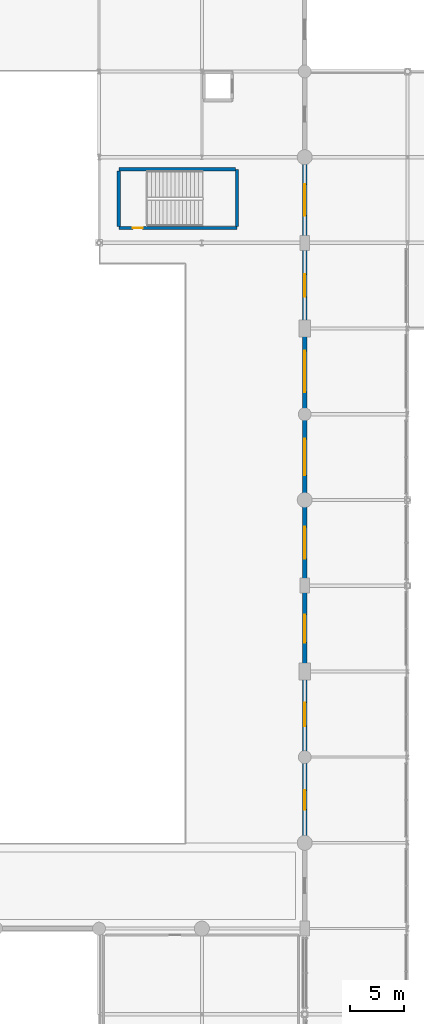
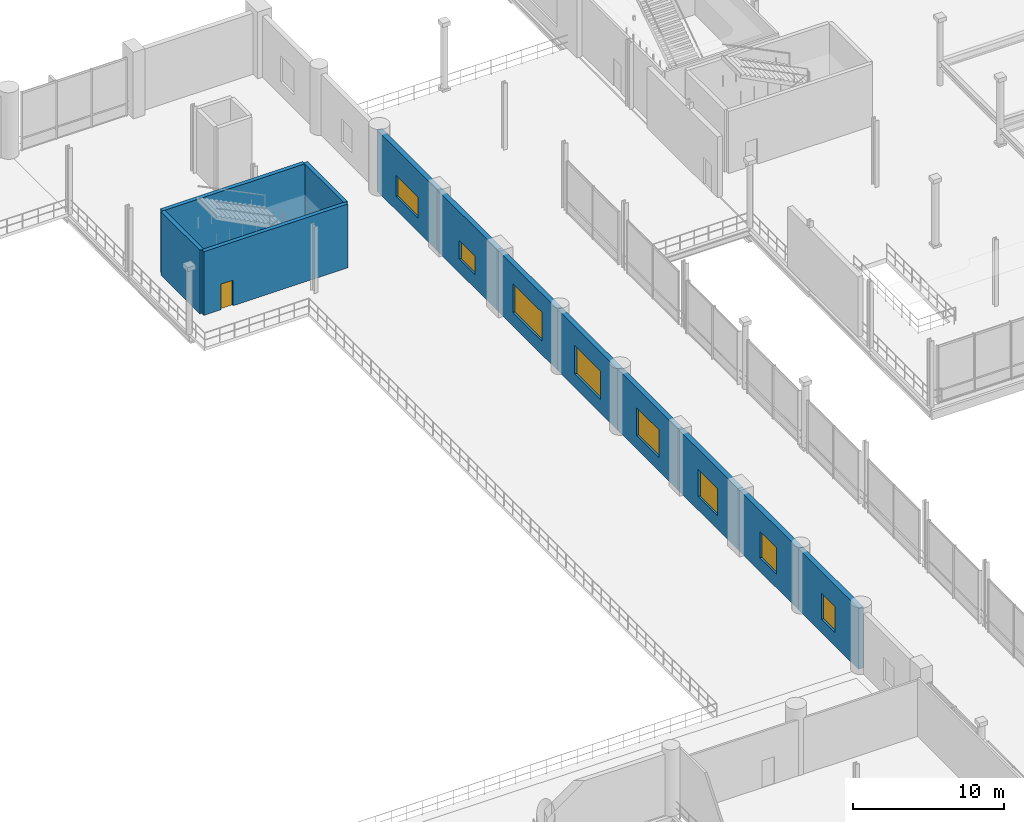
# One storey, part 80 of 129: 12 walls, 8 windows, 1 door, 9 openings.
"""IFC4 building model written with IfcOpenShell, lengths in metres."""

from ifc_helpers import new_model, si_unit, direction, frame, frame_2d, origin, place, context, subcontext, project, spatial, rectangle, extrude, material, layer, layer_set, type_object, element, fill, save


model = new_model("IFC4")

# Units and contexts
model_context = context("Model", 3, precision=1e-05, world=origin(), true_north=direction((0.0, 1.0)))
body_context = subcontext(model_context, "Body", "Model", "MODEL_VIEW")
ifc_project = project(units=[si_unit("LENGTHUNIT", "METRE"), si_unit("AREAUNIT", "SQUARE_METRE"), si_unit("VOLUMEUNIT", "CUBIC_METRE"), si_unit("PLANEANGLEUNIT", "RADIAN"), si_unit("MASSUNIT", "GRAM", prefix="KILO")], contexts=[model_context])

# Site, building, storey
site_placement = place(None, origin())
site = spatial("IfcSite", under=ifc_project, at=site_placement, CompositionType="ELEMENT")
building_placement = place(site_placement, origin())
building = spatial("IfcBuilding", under=site, at=building_placement, Name="Danafjord Basin Convention Centre", CompositionType="ELEMENT")
storey_placement = place(building_placement, frame((0.0, 0.0, 6.0)))
storey = spatial("IfcBuildingStorey", under=building, at=storey_placement, Name="L01", CompositionType="ELEMENT", Elevation=6.0)

# Wall, opening, door
ifc_material_1 = material(Name="Concrete C40/50", Category="concrete")
ifc_layer_1 = layer(ifc_material_1, 0.300048828125)
ifc_layer_set_1 = layer_set([ifc_layer_1], Name="Concrete C40/50")
wall_type_1 = type_object("IfcWallType", Name="WALL-CW-CORE300", PredefinedType="SHEAR", material=ifc_layer_set_1)
wall_1_placement = place(storey_placement, frame((97.85009765625, 121.39990234375, 0.0), z_axis=(0.0, 0.0, 1.0), x_axis=(1.0, 0.0, 0.0)))
wall_1 = element("IfcWall", 1, at=wall_1_placement, inside=storey, type_object=wall_type_1, Name="North Exhibition Core Stair 1 core shear wall (south)", PredefinedType="SHEAR", context=body_context, shape_type="SweptSolid", body=[
    extrude(rectangle(XDim=11.039794921875, YDim=0.300048828125, at=frame_2d((5.52001953125, 0.0))), origin(), (0.0, 0.0, 1.0), 5.169921875),
])
opening_1_placement = place(wall_1_placement, frame((1.31201171875, 0.0, 0.0)))
opening_1 = element("IfcOpeningElement", 2, at=opening_1_placement, cuts=wall_1, Name="Opening FD-S01", PredefinedType="OPENING", context=body_context, shape_type="SweptSolid", body=[
    extrude(rectangle(XDim=0.909912109375, YDim=2.080078125, at=frame_2d((0.455078125, 1.0400390625))), frame((0.0, 0.159912109375, 0.0), z_axis=(0.0, -1.0, 0.0), x_axis=(1.0, 0.0, 0.0)), (0.0, 0.0, 1.0), 0.320068359375),
])
ifc_material_2 = material(Name="Powder-coated steel and Nordic oak", Category="steel")
door_type = type_object("IfcDoorType", Name="DOOR-FD-S01", OperationType="NOTDEFINED", PredefinedType="DOOR", material=ifc_material_2)
door_placement = place(opening_1_placement, origin())
door = element("IfcDoor", 3, at=door_placement, inside=storey, type_object=door_type, Name="North Exhibition Core Stair 1 L01 Fire Exit Door", OperationType="SINGLE_SWING_RIGHT", OverallHeight=2.080078125, OverallWidth=0.909912109375, PredefinedType="DOOR", context=body_context, shape_type="SweptSolid", body=[
    extrude(rectangle(XDim=0.909912109375, YDim=2.080078125, at=frame_2d((0.455078125, 1.0400390625))), frame((0.0, 0.02490234375, 0.0), z_axis=(0.0, -1.0, 0.0), x_axis=(1.0, 0.0, 0.0)), (0.0, 0.0, 1.0), 0.050048828125),
])
fill(opening_1, door)

# Walls
wall_2_placement = place(storey_placement, frame((108.889892578125, 121.534912109375, 0.0), z_axis=(0.0, 0.0, 1.0), x_axis=(0.0, 1.0, 0.0)))
element("IfcWall", 4, at=wall_2_placement, inside=storey, type_object=wall_type_1, Name="North Exhibition Core Stair 1 core shear wall (east)", PredefinedType="SHEAR", context=body_context, shape_type="SweptSolid", body=[
    extrude(rectangle(XDim=5.3251953125, YDim=0.300048828125, at=frame_2d((2.66259765625, 0.0))), origin(), (0.0, 0.0, 1.0), 5.169921875),
])
wall_3_placement = place(storey_placement, frame((108.7548828125, 126.860107421875, 0.0), z_axis=(0.0, 0.0, 1.0), x_axis=(-1.0, 0.0, 0.0)))
element("IfcWall", 5, at=wall_3_placement, inside=storey, type_object=wall_type_1, Name="North Exhibition Core Stair 1 core shear wall (north)", PredefinedType="SHEAR", context=body_context, shape_type="SweptSolid", body=[
    extrude(rectangle(XDim=10.90478515625, YDim=0.300048828125, at=frame_2d((5.452392578125, 0.0))), origin(), (0.0, 0.0, 1.0), 5.169921875),
])
wall_4_placement = place(storey_placement, frame((97.85009765625, 126.72509765625, 0.0), z_axis=(0.0, 0.0, 1.0), x_axis=(0.0, -1.0, 0.0)))
element("IfcWall", 6, at=wall_4_placement, inside=storey, type_object=wall_type_1, Name="North Exhibition Core Stair 1 core shear wall (west)", PredefinedType="SHEAR", context=body_context, shape_type="SweptSolid", body=[
    extrude(rectangle(XDim=5.190185546875, YDim=0.300048828125, at=frame_2d((2.59521484375, 0.0))), origin(), (0.0, 0.0, 1.0), 5.169921875),
])

# Wall, opening, window
ifc_material_3 = material(Name="Precast concrete C45/55", Category="concrete")
ifc_layer_2 = layer(ifc_material_3, 0.3798828125)
ifc_layer_set_2 = layer_set([ifc_layer_2], Name="Precast concrete C45/55")
wall_type_2 = type_object("IfcWallType", Name="WALL-EW-PC380", PredefinedType="SOLIDWALL", material=ifc_layer_set_2)
wall_5_placement = place(storey_placement, frame((115.199951171875, 64.0, 0.0), z_axis=(0.0, 0.0, 1.0), x_axis=(0.0, 1.0, 0.0)))
wall_5 = element("IfcWall", 7, at=wall_5_placement, inside=storey, type_object=wall_type_2, Name="Exhibition hall E upper precast wall", PredefinedType="SOLIDWALL", context=body_context, shape_type="SweptSolid", body=[
    extrude(rectangle(XDim=8.0, YDim=0.3798828125, at=frame_2d((4.0, 0.0))), origin(), (0.0, 0.0, 1.0), 4.949951171875),
])
opening_2_placement = place(wall_5_placement, frame((3.10009765625, 0.0, 1.10009765625)))
opening_2 = element("IfcOpeningElement", 8, at=opening_2_placement, cuts=wall_5, Name="Opening WN-04", PredefinedType="OPENING", context=body_context, shape_type="SweptSolid", body=[
    extrude(rectangle(XDim=1.800048828125, YDim=2.10009765625, at=frame_2d((0.89990234375, 1.050048828125))), frame((0.0, 0.199951171875, 0.0), z_axis=(0.0, -1.0, 0.0), x_axis=(1.0, 0.0, 0.0)), (0.0, 0.0, 1.0), 0.39990234375),
])
ifc_material_4 = material(Name="Thermally broken aluminium and triple low-E glass", Category="aluminium")
window_type_1 = type_object("IfcWindowType", Name="WIN-WN-04", PartitioningType="SINGLE_PANEL", PredefinedType="WINDOW", material=ifc_material_4)
window_1_placement = place(opening_2_placement, origin())
window_1 = element("IfcWindow", 9, at=window_1_placement, inside=storey, type_object=window_type_1, Name="L01 hall window WN-04", OverallHeight=2.10009765625, OverallWidth=1.800048828125, PartitioningType="SINGLE_PANEL", PredefinedType="WINDOW", context=body_context, shape_type="SweptSolid", body=[
    extrude(rectangle(XDim=1.800048828125, YDim=2.10009765625, at=frame_2d((0.89990234375, 1.050048828125))), frame((0.0, 0.030029296875, 0.0), z_axis=(0.0, -1.0, 0.0), x_axis=(1.0, 0.0, 0.0)), (0.0, 0.0, 1.0), 0.06005859375),
])
fill(opening_2, window_1)

wall_6_placement = place(storey_placement, frame((115.199951171875, 72.0, 0.0), z_axis=(0.0, 0.0, 1.0), x_axis=(0.0, 1.0, 0.0)))
wall_6 = element("IfcWall", 10, at=wall_6_placement, inside=storey, type_object=wall_type_2, Name="Exhibition hall E upper precast wall", PredefinedType="SOLIDWALL", context=body_context, shape_type="SweptSolid", body=[
    extrude(rectangle(XDim=8.0, YDim=0.3798828125, at=frame_2d((4.0, 0.0))), origin(), (0.0, 0.0, 1.0), 4.949951171875),
])
opening_3_placement = place(wall_6_placement, frame((2.89990234375, 0.0, 1.10009765625)))
opening_3 = element("IfcOpeningElement", 11, at=opening_3_placement, cuts=wall_6, Name="Opening WN-06", PredefinedType="OPENING", context=body_context, shape_type="SweptSolid", body=[
    extrude(rectangle(XDim=2.199951171875, YDim=2.14990234375, at=frame_2d((1.10009765625, 1.074951171875))), frame((0.0, 0.199951171875, 0.0), z_axis=(0.0, -1.0, 0.0), x_axis=(1.0, 0.0, 0.0)), (0.0, 0.0, 1.0), 0.39990234375),
])
window_type_2 = type_object("IfcWindowType", Name="WIN-WN-06", PartitioningType="SINGLE_PANEL", PredefinedType="WINDOW", material=ifc_material_4)
window_2_placement = place(opening_3_placement, origin())
window_2 = element("IfcWindow", 12, at=window_2_placement, inside=storey, type_object=window_type_2, Name="L01 hall window WN-06", OverallHeight=2.14990234375, OverallWidth=2.199951171875, PartitioningType="SINGLE_PANEL", PredefinedType="WINDOW", context=body_context, shape_type="SweptSolid", body=[
    extrude(rectangle(XDim=2.199951171875, YDim=2.14990234375, at=frame_2d((1.10009765625, 1.074951171875))), frame((0.0, 0.030029296875, 0.0), z_axis=(0.0, -1.0, 0.0), x_axis=(1.0, 0.0, 0.0)), (0.0, 0.0, 1.0), 0.06005859375),
])
fill(opening_3, window_2)

wall_7_placement = place(storey_placement, frame((115.199951171875, 80.0, 0.0), z_axis=(0.0, 0.0, 1.0), x_axis=(0.0, 1.0, 0.0)))
wall_7 = element("IfcWall", 13, at=wall_7_placement, inside=storey, type_object=wall_type_2, Name="Exhibition hall E upper precast wall", PredefinedType="SOLIDWALL", context=body_context, shape_type="SweptSolid", body=[
    extrude(rectangle(XDim=8.0, YDim=0.3798828125, at=frame_2d((4.0, 0.0))), origin(), (0.0, 0.0, 1.0), 4.949951171875),
])
opening_4_placement = place(wall_7_placement, frame((2.699951171875, 0.0, 1.10009765625)))
opening_4 = element("IfcOpeningElement", 14, at=opening_4_placement, cuts=wall_7, Name="Opening WN-08", PredefinedType="OPENING", context=body_context, shape_type="SweptSolid", body=[
    extrude(rectangle(XDim=2.60009765625, YDim=2.199951171875, at=frame_2d((1.300048828125, 1.10009765625))), frame((0.0, 0.199951171875, 0.0), z_axis=(0.0, -1.0, 0.0), x_axis=(1.0, 0.0, 0.0)), (0.0, 0.0, 1.0), 0.39990234375),
])
window_type_3 = type_object("IfcWindowType", Name="WIN-WN-08", PartitioningType="SINGLE_PANEL", PredefinedType="WINDOW", material=ifc_material_4)
window_3_placement = place(opening_4_placement, origin())
window_3 = element("IfcWindow", 15, at=window_3_placement, inside=storey, type_object=window_type_3, Name="L01 hall window WN-08", OverallHeight=2.199951171875, OverallWidth=2.60009765625, PartitioningType="SINGLE_PANEL", PredefinedType="WINDOW", context=body_context, shape_type="SweptSolid", body=[
    extrude(rectangle(XDim=2.60009765625, YDim=2.199951171875, at=frame_2d((1.300048828125, 1.10009765625))), frame((0.0, 0.030029296875, 0.0), z_axis=(0.0, -1.0, 0.0), x_axis=(1.0, 0.0, 0.0)), (0.0, 0.0, 1.0), 0.06005859375),
])
fill(opening_4, window_3)

wall_8_placement = place(storey_placement, frame((115.199951171875, 88.0, 0.0), z_axis=(0.0, 0.0, 1.0), x_axis=(0.0, 1.0, 0.0)))
wall_8 = element("IfcWall", 16, at=wall_8_placement, inside=storey, type_object=wall_type_2, Name="Exhibition hall E upper precast wall", PredefinedType="SOLIDWALL", context=body_context, shape_type="SweptSolid", body=[
    extrude(rectangle(XDim=8.0, YDim=0.3798828125, at=frame_2d((4.0, 0.0))), origin(), (0.0, 0.0, 1.0), 4.949951171875),
])
opening_5_placement = place(wall_8_placement, frame((2.5, 0.0, 1.10009765625)))
opening_5 = element("IfcOpeningElement", 17, at=opening_5_placement, cuts=wall_8, Name="Opening WN-10", PredefinedType="OPENING", context=body_context, shape_type="SweptSolid", body=[
    extrude(rectangle(XDim=3.0, YDim=2.25, at=frame_2d((1.5, 1.125))), frame((0.0, 0.199951171875, 0.0), z_axis=(0.0, -1.0, 0.0), x_axis=(1.0, 0.0, 0.0)), (0.0, 0.0, 1.0), 0.39990234375),
])
window_type_4 = type_object("IfcWindowType", Name="WIN-WN-10", PartitioningType="SINGLE_PANEL", PredefinedType="WINDOW", material=ifc_material_4)
window_4_placement = place(opening_5_placement, origin())
window_4 = element("IfcWindow", 18, at=window_4_placement, inside=storey, type_object=window_type_4, Name="L01 hall window WN-10", OverallHeight=2.25, OverallWidth=3.0, PartitioningType="SINGLE_PANEL", PredefinedType="WINDOW", context=body_context, shape_type="SweptSolid", body=[
    extrude(rectangle(XDim=3.0, YDim=2.25, at=frame_2d((1.5, 1.125))), frame((0.0, 0.030029296875, 0.0), z_axis=(0.0, -1.0, 0.0), x_axis=(1.0, 0.0, 0.0)), (0.0, 0.0, 1.0), 0.06005859375),
])
fill(opening_5, window_4)

wall_9_placement = place(storey_placement, frame((115.199951171875, 96.0, 0.0), z_axis=(0.0, 0.0, 1.0), x_axis=(0.0, 1.0, 0.0)))
wall_9 = element("IfcWall", 19, at=wall_9_placement, inside=storey, type_object=wall_type_2, Name="Exhibition hall E upper precast wall", PredefinedType="SOLIDWALL", context=body_context, shape_type="SweptSolid", body=[
    extrude(rectangle(XDim=8.0, YDim=0.3798828125, at=frame_2d((4.0, 0.0))), origin(), (0.0, 0.0, 1.0), 4.949951171875),
])
opening_6_placement = place(wall_9_placement, frame((2.300048828125, 0.0, 1.10009765625)))
opening_6 = element("IfcOpeningElement", 20, at=opening_6_placement, cuts=wall_9, Name="Opening WN-12", PredefinedType="OPENING", context=body_context, shape_type="SweptSolid", body=[
    extrude(rectangle(XDim=3.39990234375, YDim=2.300048828125, at=frame_2d((1.699951171875, 1.14990234375))), frame((0.0, 0.199951171875, 0.0), z_axis=(0.0, -1.0, 0.0), x_axis=(1.0, 0.0, 0.0)), (0.0, 0.0, 1.0), 0.39990234375),
])
window_type_5 = type_object("IfcWindowType", Name="WIN-WN-12", PartitioningType="SINGLE_PANEL", PredefinedType="WINDOW", material=ifc_material_4)
window_5_placement = place(opening_6_placement, origin())
window_5 = element("IfcWindow", 21, at=window_5_placement, inside=storey, type_object=window_type_5, Name="L01 hall window WN-12", OverallHeight=2.300048828125, OverallWidth=3.39990234375, PartitioningType="SINGLE_PANEL", PredefinedType="WINDOW", context=body_context, shape_type="SweptSolid", body=[
    extrude(rectangle(XDim=3.39990234375, YDim=2.300048828125, at=frame_2d((1.699951171875, 1.14990234375))), frame((0.0, 0.030029296875, 0.0), z_axis=(0.0, -1.0, 0.0), x_axis=(1.0, 0.0, 0.0)), (0.0, 0.0, 1.0), 0.06005859375),
])
fill(opening_6, window_5)

wall_10_placement = place(storey_placement, frame((115.199951171875, 104.0, 0.0), z_axis=(0.0, 0.0, 1.0), x_axis=(0.0, 1.0, 0.0)))
wall_10 = element("IfcWall", 22, at=wall_10_placement, inside=storey, type_object=wall_type_2, Name="Exhibition hall E upper precast wall", PredefinedType="SOLIDWALL", context=body_context, shape_type="SweptSolid", body=[
    extrude(rectangle(XDim=8.0, YDim=0.3798828125, at=frame_2d((4.0, 0.0))), origin(), (0.0, 0.0, 1.0), 4.949951171875),
])
opening_7_placement = place(wall_10_placement, frame((2.074951171875, 0.0, 1.10009765625)))
opening_7 = element("IfcOpeningElement", 23, at=opening_7_placement, cuts=wall_10, Name="Opening WN-14", PredefinedType="OPENING", context=body_context, shape_type="SweptSolid", body=[
    extrude(rectangle(XDim=3.85009765625, YDim=2.35009765625, at=frame_2d((1.925048828125, 1.175048828125))), frame((0.0, 0.199951171875, 0.0), z_axis=(0.0, -1.0, 0.0), x_axis=(1.0, 0.0, 0.0)), (0.0, 0.0, 1.0), 0.39990234375),
])
window_type_6 = type_object("IfcWindowType", Name="WIN-WN-14", PartitioningType="SINGLE_PANEL", PredefinedType="WINDOW", material=ifc_material_4)
window_6_placement = place(opening_7_placement, origin())
window_6 = element("IfcWindow", 24, at=window_6_placement, inside=storey, type_object=window_type_6, Name="L01 hall window WN-14", OverallHeight=2.35009765625, OverallWidth=3.85009765625, PartitioningType="SINGLE_PANEL", PredefinedType="WINDOW", context=body_context, shape_type="SweptSolid", body=[
    extrude(rectangle(XDim=3.85009765625, YDim=2.35009765625, at=frame_2d((1.925048828125, 1.175048828125))), frame((0.0, 0.030029296875, 0.0), z_axis=(0.0, -1.0, 0.0), x_axis=(1.0, 0.0, 0.0)), (0.0, 0.0, 1.0), 0.06005859375),
])
fill(opening_7, window_6)

wall_11_placement = place(storey_placement, frame((115.199951171875, 112.0, 0.0), z_axis=(0.0, 0.0, 1.0), x_axis=(0.0, 1.0, 0.0)))
wall_11 = element("IfcWall", 25, at=wall_11_placement, inside=storey, type_object=wall_type_2, Name="Exhibition hall E upper precast wall", PredefinedType="SOLIDWALL", context=body_context, shape_type="SweptSolid", body=[
    extrude(rectangle(XDim=8.0, YDim=0.3798828125, at=frame_2d((4.0, 0.0))), origin(), (0.0, 0.0, 1.0), 4.949951171875),
])
opening_8_placement = place(wall_11_placement, frame((2.949951171875, 0.0, 1.10009765625)))
opening_8 = element("IfcOpeningElement", 26, at=opening_8_placement, cuts=wall_11, Name="Opening WN-16", PredefinedType="OPENING", context=body_context, shape_type="SweptSolid", body=[
    extrude(rectangle(XDim=2.10009765625, YDim=1.5, at=frame_2d((1.050048828125, 0.75))), frame((0.0, 0.199951171875, 0.0), z_axis=(0.0, -1.0, 0.0), x_axis=(1.0, 0.0, 0.0)), (0.0, 0.0, 1.0), 0.39990234375),
])
window_type_7 = type_object("IfcWindowType", Name="WIN-WN-16", PartitioningType="SINGLE_PANEL", PredefinedType="WINDOW", material=ifc_material_4)
window_7_placement = place(opening_8_placement, origin())
window_7 = element("IfcWindow", 27, at=window_7_placement, inside=storey, type_object=window_type_7, Name="L01 hall window WN-16", OverallHeight=1.5, OverallWidth=2.10009765625, PartitioningType="SINGLE_PANEL", PredefinedType="WINDOW", context=body_context, shape_type="SweptSolid", body=[
    extrude(rectangle(XDim=2.10009765625, YDim=1.5, at=frame_2d((1.050048828125, 0.75))), frame((0.0, 0.030029296875, 0.0), z_axis=(0.0, -1.0, 0.0), x_axis=(1.0, 0.0, 0.0)), (0.0, 0.0, 1.0), 0.06005859375),
])
fill(opening_8, window_7)

wall_12_placement = place(storey_placement, frame((115.199951171875, 120.0, 0.0), z_axis=(0.0, 0.0, 1.0), x_axis=(0.0, 1.0, 0.0)))
wall_12 = element("IfcWall", 28, at=wall_12_placement, inside=storey, type_object=wall_type_2, Name="Exhibition hall E upper precast wall", PredefinedType="SOLIDWALL", context=body_context, shape_type="SweptSolid", body=[
    extrude(rectangle(XDim=8.0, YDim=0.3798828125, at=frame_2d((4.0, 0.0))), origin(), (0.0, 0.0, 1.0), 4.949951171875),
])
opening_9_placement = place(wall_12_placement, frame((2.550048828125, 0.0, 1.10009765625)))
opening_9 = element("IfcOpeningElement", 29, at=opening_9_placement, cuts=wall_12, Name="Opening WN-18", PredefinedType="OPENING", context=body_context, shape_type="SweptSolid", body=[
    extrude(rectangle(XDim=2.89990234375, YDim=1.699951171875, at=frame_2d((1.449951171875, 0.85009765625))), frame((0.0, 0.199951171875, 0.0), z_axis=(0.0, -1.0, 0.0), x_axis=(1.0, 0.0, 0.0)), (0.0, 0.0, 1.0), 0.39990234375),
])
window_type_8 = type_object("IfcWindowType", Name="WIN-WN-18", PartitioningType="SINGLE_PANEL", PredefinedType="WINDOW", material=ifc_material_4)
window_8_placement = place(opening_9_placement, origin())
window_8 = element("IfcWindow", 30, at=window_8_placement, inside=storey, type_object=window_type_8, Name="L01 hall window WN-18", OverallHeight=1.699951171875, OverallWidth=2.89990234375, PartitioningType="SINGLE_PANEL", PredefinedType="WINDOW", context=body_context, shape_type="SweptSolid", body=[
    extrude(rectangle(XDim=2.89990234375, YDim=1.699951171875, at=frame_2d((1.449951171875, 0.85009765625))), frame((0.0, 0.030029296875, 0.0), z_axis=(0.0, -1.0, 0.0), x_axis=(1.0, 0.0, 0.0)), (0.0, 0.0, 1.0), 0.06005859375),
])
fill(opening_9, window_8)

save(model, "model.ifc")
